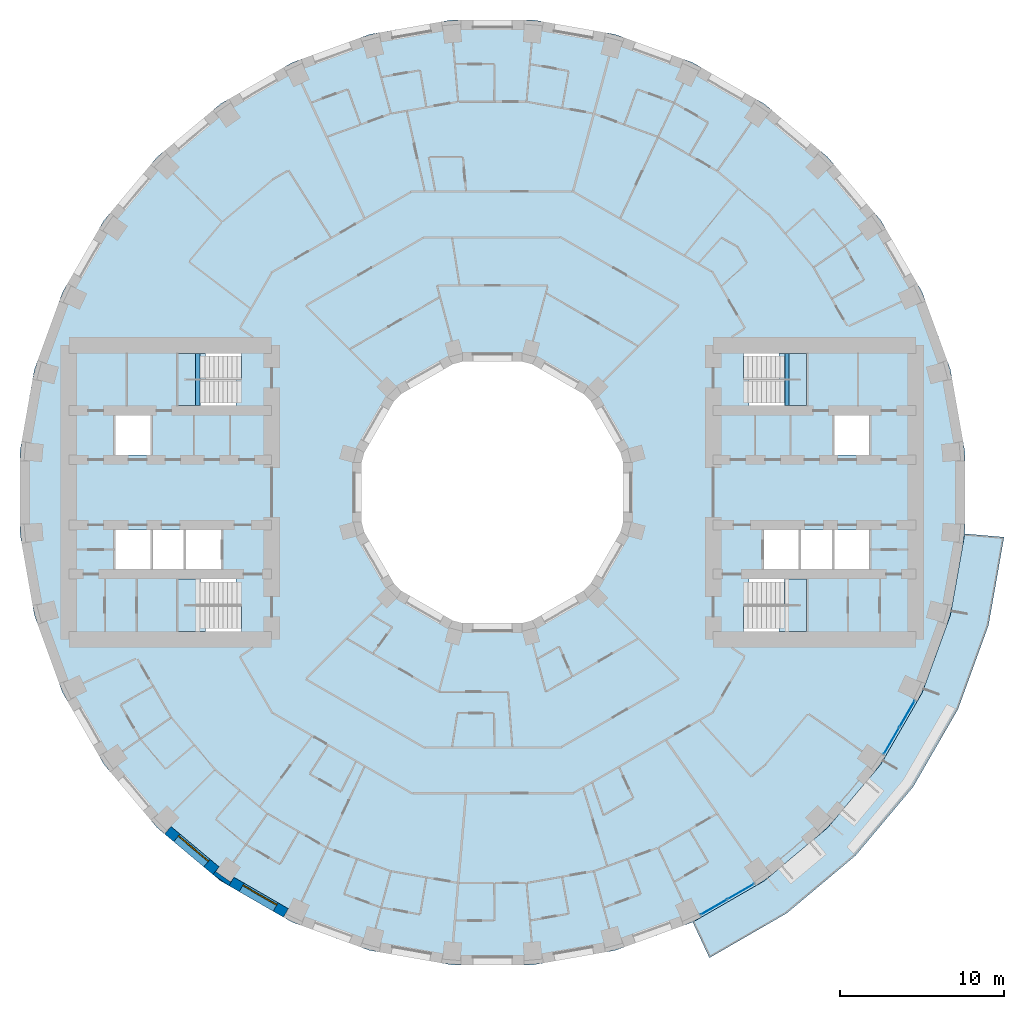
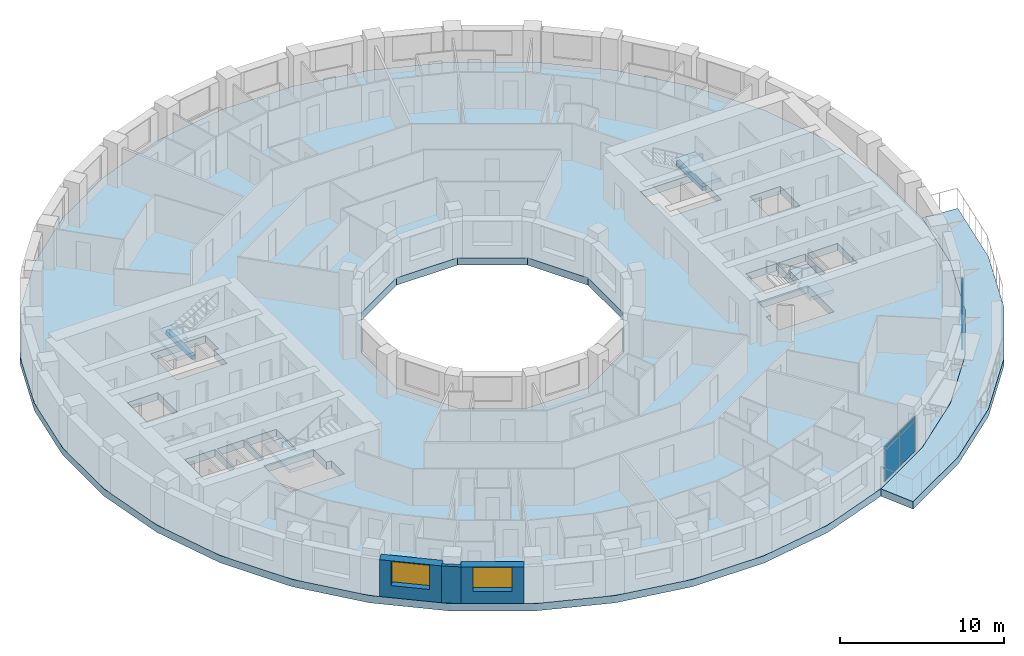
# One storey, part 3 of 15: 8 plates, 6 slabs, 3 walls, 2 beams, 2 windows, 2 openings, 6 elements without a shape of their own.
"""IFC4 building model written with IfcOpenShell, lengths in metres."""

from ifc_helpers import new_model, si_unit, direction, frame, frame_2d, origin, origin_2d, place, context, subcontext, project, spatial, polyline, rectangle, outline, extrude, material, layer, layer_set, material_profile, profile_set, type_object, element, fill, aggregate, save


model = new_model("IFC4")

# Units and contexts
model_context = context("Model", 3, precision=1e-05, world=origin(), true_north=direction((0.0, 1.0)))
body_context = subcontext(model_context, "Body", "Model", "MODEL_VIEW")
ifc_project = project(units=[si_unit("LENGTHUNIT", "METRE"), si_unit("AREAUNIT", "SQUARE_METRE"), si_unit("VOLUMEUNIT", "CUBIC_METRE"), si_unit("PLANEANGLEUNIT", "RADIAN"), si_unit("MASSUNIT", "GRAM", prefix="KILO")], contexts=[model_context])

# Site, building, storey
site_placement = place(None, origin())
site = spatial("IfcSite", under=ifc_project, at=site_placement, CompositionType="ELEMENT")
building_placement = place(site_placement, origin())
building = spatial("IfcBuilding", under=site, at=building_placement, Name="Saqina Gate Tower", CompositionType="ELEMENT")
storey_placement = place(building_placement, frame((0.0, 0.0, 36.199951171875)))
storey = spatial("IfcBuildingStorey", under=building, at=storey_placement, Name="L09", CompositionType="ELEMENT", Elevation=36.199951171875)

# Beams
ifc_material_1 = material(Name="Concrete C40/50", Category="concrete")
ifc_material_profile = material_profile(ifc_material_1, rectangle(XDim=0.25, YDim=0.300048828125, at=origin_2d()), Name="STAIR LANDING BEAM")
ifc_profile_set = profile_set([ifc_material_profile], Name="Concrete C40/50")
beam_type = type_object("IfcBeamType", Name="STAIR LANDING BEAM", PredefinedType="BEAM", material=ifc_profile_set)
for number, where, z_axis, x_axis, name in (
    (1, (18.02001953125, 5.300048828125, 1.25), (0.0, 1.0, 0.0), (-1.0, 0.0, 0.0), "EXIT STAIR 1 LANDING BEAM"),
    (2, (-18.02001953125, 5.300048828125, 1.25), (0.0, 1.0, 0.0), (-1.0, 0.0, 0.0), "EXIT STAIR 3 LANDING BEAM"),
):
    element("IfcBeam", number, at=place(storey_placement, frame(where, z_axis=z_axis, x_axis=x_axis)), inside=storey, type_object=beam_type, Name=name, PredefinedType="BEAM", context=body_context, shape_type="SweptSolid", body=[
        extrude(rectangle(XDim=0.25, YDim=0.300048828125, at=origin_2d()), origin(), (0.0, 0.0, 1.0), 3.199951171875),
    ])

# Curtain wall, plates
ifc_material_2 = material(Name="Aluminium glazing", Category="aluminium")
ifc_layer_1 = layer(ifc_material_2, 0.159912109375)
ifc_layer_set_1 = layer_set([ifc_layer_1], Name="CWT-4")
curtain_wall_type = type_object("IfcCurtainWallType", Name="CWT-4", PredefinedType="NOTDEFINED", material=ifc_layer_set_1)
curtain_wall_1_placement = place(storey_placement, origin())
curtain_wall_1 = element("IfcCurtainWall", 3, at=curtain_wall_1_placement, inside=storey, type_object=curtain_wall_type, Name="Terrace lounge glazing facet 30", PredefinedType="NOTDEFINED")
ifc_material_3 = material(Name="Glass", Category="glass")
ifc_layer_2 = layer(ifc_material_3, 0.028076171875)
ifc_layer_set_2 = layer_set([ifc_layer_2], Name="CWT-4P")
plate_type = type_object("IfcPlateType", Name="CWT-4P", PredefinedType="CURTAIN_PANEL", material=ifc_layer_set_2)
plate_1_placement = place(storey_placement, frame((13.550048828125, -25.362548828125, 0.06005859375), z_axis=(0.0, 0.0, 1.0), x_axis=(0.866027971624, 0.499995552346, 0.0)))
plate_1 = element("IfcPlate", 4, at=plate_1_placement, type_object=plate_type, Name="CW4-30 panel 1.1", PredefinedType="CURTAIN_PANEL", context=body_context, shape_type="SweptSolid", body=[
    extrude(rectangle(XDim=1.8330078125, YDim=0.028076171875, at=origin_2d()), origin(), (0.0, 0.0, 1.0), 2.31005859375),
])
plate_2_placement = place(storey_placement, frame((13.550048828125, -25.362548828125, 2.43017578125), z_axis=(0.0, 0.0, 1.0), x_axis=(0.866027971624, 0.499995552346, 0.0)))
plate_2 = element("IfcPlate", 5, at=plate_2_placement, type_object=plate_type, Name="CW4-30 panel 1.2", PredefinedType="CURTAIN_PANEL", context=body_context, shape_type="SweptSolid", body=[
    extrude(rectangle(XDim=1.8330078125, YDim=0.028076171875, at=origin_2d()), origin(), (0.0, 0.0, 1.0), 0.260009765625),
])
plate_3_placement = place(storey_placement, frame((15.189453125, -24.416015625, 0.06005859375), z_axis=(0.0, 0.0, 1.0), x_axis=(0.866027971624, 0.499995552346, 0.0)))
plate_3 = element("IfcPlate", 6, at=plate_3_placement, type_object=plate_type, Name="CW4-30 panel 2.1", PredefinedType="CURTAIN_PANEL", context=body_context, shape_type="SweptSolid", body=[
    extrude(rectangle(XDim=1.8330078125, YDim=0.028076171875, at=origin_2d()), origin(), (0.0, 0.0, 1.0), 2.31005859375),
])
plate_4_placement = place(storey_placement, frame((15.189453125, -24.416015625, 2.43017578125), z_axis=(0.0, 0.0, 1.0), x_axis=(0.866027971624, 0.499995552346, 0.0)))
plate_4 = element("IfcPlate", 7, at=plate_4_placement, type_object=plate_type, Name="CW4-30 panel 2.2", PredefinedType="CURTAIN_PANEL", context=body_context, shape_type="SweptSolid", body=[
    extrude(rectangle(XDim=1.8330078125, YDim=0.028076171875, at=origin_2d()), origin(), (0.0, 0.0, 1.0), 0.260009765625),
])
aggregate(curtain_wall_1, [plate_1, plate_2, plate_3, plate_4])

curtain_wall_2_placement = place(storey_placement, origin())
curtain_wall_2 = element("IfcCurtainWall", 8, at=curtain_wall_2_placement, inside=storey, type_object=curtain_wall_type, Name="Terrace lounge glazing facet 33", PredefinedType="NOTDEFINED")
plate_5_placement = place(storey_placement, frame((24.416015625, -15.189453125, 0.06005859375), z_axis=(0.0, 0.0, 1.0), x_axis=(0.499995552346, 0.866027971624, 0.0)))
plate_5 = element("IfcPlate", 9, at=plate_5_placement, type_object=plate_type, Name="CW4-33 panel 1.1", PredefinedType="CURTAIN_PANEL", context=body_context, shape_type="SweptSolid", body=[
    extrude(rectangle(XDim=1.8330078125, YDim=0.028076171875, at=origin_2d()), origin(), (0.0, 0.0, 1.0), 2.31005859375),
])
plate_6_placement = place(storey_placement, frame((24.416015625, -15.189453125, 2.43017578125), z_axis=(0.0, 0.0, 1.0), x_axis=(0.499995552346, 0.866027971624, 0.0)))
plate_6 = element("IfcPlate", 10, at=plate_6_placement, type_object=plate_type, Name="CW4-33 panel 1.2", PredefinedType="CURTAIN_PANEL", context=body_context, shape_type="SweptSolid", body=[
    extrude(rectangle(XDim=1.8330078125, YDim=0.028076171875, at=origin_2d()), origin(), (0.0, 0.0, 1.0), 0.260009765625),
])
plate_7_placement = place(storey_placement, frame((25.362548828125, -13.550048828125, 0.06005859375), z_axis=(0.0, 0.0, 1.0), x_axis=(0.499995552346, 0.866027971624, 0.0)))
plate_7 = element("IfcPlate", 11, at=plate_7_placement, type_object=plate_type, Name="CW4-33 panel 2.1", PredefinedType="CURTAIN_PANEL", context=body_context, shape_type="SweptSolid", body=[
    extrude(rectangle(XDim=1.8330078125, YDim=0.028076171875, at=origin_2d()), origin(), (0.0, 0.0, 1.0), 2.31005859375),
])
plate_8_placement = place(storey_placement, frame((25.362548828125, -13.550048828125, 2.43017578125), z_axis=(0.0, 0.0, 1.0), x_axis=(0.499995552346, 0.866027971624, 0.0)))
plate_8 = element("IfcPlate", 12, at=plate_8_placement, type_object=plate_type, Name="CW4-33 panel 2.2", PredefinedType="CURTAIN_PANEL", context=body_context, shape_type="SweptSolid", body=[
    extrude(rectangle(XDim=1.8330078125, YDim=0.028076171875, at=origin_2d()), origin(), (0.0, 0.0, 1.0), 0.260009765625),
])
aggregate(curtain_wall_2, [plate_5, plate_6, plate_7, plate_8])

# Stair, slab
ifc_material_4 = material(Name="Concrete C40/50", Category="concrete")
stair_type = type_object("IfcStairType", Name="EXIT STAIR", PredefinedType="HALF_TURN_STAIR", material=ifc_material_4)
stair_1_placement = place(storey_placement, origin())
stair_1 = element("IfcStair", 13, at=stair_1_placement, inside=storey, type_object=stair_type, Name="EXIT STAIR 1", PredefinedType="HALF_TURN_STAIR")
ifc_material_5 = material(Name="Concrete C40/50", Category="concrete")
ifc_layer_3 = layer(ifc_material_5, 0.25)
ifc_layer_set_3 = layer_set([ifc_layer_3], Name="Concrete C40/50")
slab_type_1 = type_object("IfcSlabType", Name="EXIT STAIR LANDING", PredefinedType="LANDING", material=ifc_layer_set_3)
slab_1_placement = place(storey_placement, frame((0.0, 0.0, 1.400146484375)))
slab_1 = element("IfcSlab", 14, at=slab_1_placement, type_object=slab_type_1, Name="EXIT STAIR 1 LANDING 1", PredefinedType="LANDING", context=body_context, shape_type="SweptSolid", body=[
    extrude(outline(polyline([(19.219970703125, 8.5), (19.219970703125, 5.300048828125), (17.864990234375, 5.300048828125), (17.864990234375, 6.89990234375), (17.534423828125, 6.89990234375), (17.534423828125, 8.5), (17.864990234375, 8.5), (17.8701171875, 8.5), (19.219970703125, 8.5)])), origin(), (0.0, 0.0, 1.0), 0.25),
])
aggregate(stair_1, [slab_1])

stair_2_placement = place(storey_placement, origin())
stair_2 = element("IfcStair", 15, at=stair_2_placement, inside=storey, type_object=stair_type, Name="EXIT STAIR 2", PredefinedType="HALF_TURN_STAIR")
slab_2_placement = place(storey_placement, frame((0.0, 0.0, 1.400146484375)))
slab_2 = element("IfcSlab", 16, at=slab_2_placement, type_object=slab_type_1, Name="EXIT STAIR 2 LANDING 1", PredefinedType="LANDING", context=body_context, shape_type="SweptSolid", body=[
    extrude(outline(polyline([(17.534423828125, -8.5), (17.534423828125, -6.89990234375), (17.864990234375, -6.89990234375), (17.864990234375, -5.300048828125), (19.219970703125, -5.300048828125), (19.219970703125, -8.5), (17.8701171875, -8.5), (17.864990234375, -8.5), (17.534423828125, -8.5)])), origin(), (0.0, 0.0, 1.0), 0.25),
])
aggregate(stair_2, [slab_2])

stair_3_placement = place(storey_placement, origin())
stair_3 = element("IfcStair", 17, at=stair_3_placement, inside=storey, type_object=stair_type, Name="EXIT STAIR 3", PredefinedType="HALF_TURN_STAIR")
slab_3_placement = place(storey_placement, frame((0.0, 0.0, 1.400146484375)))
slab_3 = element("IfcSlab", 18, at=slab_3_placement, type_object=slab_type_1, Name="EXIT STAIR 3 LANDING 1", PredefinedType="LANDING", context=body_context, shape_type="SweptSolid", body=[
    extrude(outline(polyline([(-17.864990234375, 5.300048828125), (-19.219970703125, 5.300048828125), (-19.219970703125, 8.5), (-17.8701171875, 8.5), (-17.864990234375, 8.5), (-17.534423828125, 8.5), (-17.534423828125, 6.89990234375), (-17.864990234375, 6.89990234375), (-17.864990234375, 5.300048828125)])), origin(), (0.0, 0.0, 1.0), 0.25),
])
aggregate(stair_3, [slab_3])

stair_4_placement = place(storey_placement, origin())
stair_4 = element("IfcStair", 19, at=stair_4_placement, inside=storey, type_object=stair_type, Name="EXIT STAIR 4", PredefinedType="HALF_TURN_STAIR")
slab_4_placement = place(storey_placement, frame((0.0, 0.0, 1.400146484375)))
slab_4 = element("IfcSlab", 20, at=slab_4_placement, type_object=slab_type_1, Name="EXIT STAIR 4 LANDING 1", PredefinedType="LANDING", context=body_context, shape_type="SweptSolid", body=[
    extrude(outline(polyline([(-17.534423828125, -6.89990234375), (-17.534423828125, -8.5), (-17.864990234375, -8.5), (-17.8701171875, -8.5), (-19.219970703125, -8.5), (-19.219970703125, -5.300048828125), (-17.864990234375, -5.300048828125), (-17.864990234375, -6.89990234375), (-17.534423828125, -6.89990234375)])), origin(), (0.0, 0.0, 1.0), 0.25),
])
aggregate(stair_4, [slab_4])

# Slabs
ifc_material_6 = material(Name="Concrete C40/50", Category="concrete")
ifc_layer_4 = layer(ifc_material_6, 0.550048828125)
ifc_layer_set_4 = layer_set([ifc_layer_4], Name="Concrete C40/50")
slab_type_2 = type_object("IfcSlabType", Name="STR-POST-TENSIONED FLAT PLATE FLOOR-550", PredefinedType="FLOOR", material=ifc_layer_set_4)
slab_5_placement = place(storey_placement, frame((0.0, 0.0, -0.550048828125)))
element("IfcSlab", 21, at=slab_5_placement, inside=storey, type_object=slab_type_2, Name="L09-SLB01", PredefinedType="FLOOR", context=body_context, shape_type="SweptSolid", body=[
    extrude(outline(polyline([(28.011962890625, -7.505859375), (28.8896484375, -2.527587890625), (28.8896484375, 2.527587890625), (28.011962890625, 7.505859375), (26.282958984375, 12.255859375), (23.75537109375, 16.6337890625), (20.506103515625, 20.506103515625), (16.6337890625, 23.75537109375), (12.255859375, 26.282958984375), (7.505859375, 28.011962890625), (2.527587890625, 28.8896484375), (-2.527587890625, 28.8896484375), (-7.505859375, 28.011962890625), (-12.255859375, 26.282958984375), (-16.6337890625, 23.75537109375), (-20.506103515625, 20.506103515625), (-23.75537109375, 16.6337890625), (-26.282958984375, 12.255859375), (-28.011962890625, 7.505859375), (-28.8896484375, 2.527587890625), (-28.8896484375, -2.527587890625), (-28.011962890625, -7.505859375), (-26.282958984375, -12.255859375), (-23.75537109375, -16.6337890625), (-20.506103515625, -20.506103515625), (-16.6337890625, -23.75537109375), (-12.255859375, -26.282958984375), (-7.505859375, -28.011962890625), (-2.527587890625, -28.8896484375), (2.527587890625, -28.8896484375), (7.505859375, -28.011962890625), (12.255859375, -26.282958984375), (16.6337890625, -23.75537109375), (20.506103515625, -20.506103515625), (23.75537109375, -16.6337890625), (26.282958984375, -12.255859375), (28.011962890625, -7.505859375)]), holes=[polyline([(2.1435546875, 8.0), (5.8564453125, 5.8564453125), (8.0, 2.1435546875), (8.0, -2.1435546875), (5.8564453125, -5.8564453125), (2.1435546875, -8.0), (-2.1435546875, -8.0), (-5.8564453125, -5.8564453125), (-8.0, -2.1435546875), (-8.0, 2.1435546875), (-5.8564453125, 5.8564453125), (-2.1435546875, 8.0), (2.1435546875, 8.0)]), polyline([(-19.219970703125, -8.5), (-19.219970703125, -6.89990234375), (-19.219970703125, -5.300048828125), (-15.685546875, -5.300048828125), (-15.685546875, -6.89990234375), (-15.35498046875, -6.89990234375), (-15.35498046875, -8.5), (-19.219970703125, -8.5)]), polyline([(-20.89990234375, -2.300048828125), (-20.89990234375, -4.699951171875), (-23.06005859375, -4.699951171875), (-23.06005859375, -2.300048828125), (-20.89990234375, -2.300048828125)]), polyline([(-18.8701171875, -2.300048828125), (-18.8701171875, -4.699951171875), (-20.780029296875, -4.699951171875), (-20.780029296875, -2.300048828125), (-18.8701171875, -2.300048828125)]), polyline([(-16.590087890625, -2.300048828125), (-16.590087890625, -4.699951171875), (-18.75, -4.699951171875), (-18.75, -2.300048828125), (-16.590087890625, -2.300048828125)]), polyline([(-20.89990234375, 4.699951171875), (-20.89990234375, 2.300048828125), (-23.06005859375, 2.300048828125), (-23.06005859375, 4.699951171875), (-20.89990234375, 4.699951171875)]), polyline([(-19.219970703125, 6.89990234375), (-19.219970703125, 8.5), (-15.35498046875, 8.5), (-15.35498046875, 6.89990234375), (-15.685546875, 6.89990234375), (-15.685546875, 5.300048828125), (-19.219970703125, 5.300048828125), (-19.219970703125, 6.89990234375)]), polyline([(15.35498046875, -6.89990234375), (15.685546875, -6.89990234375), (15.685546875, -5.300048828125), (19.219970703125, -5.300048828125), (19.219970703125, -6.89990234375), (19.219970703125, -8.5), (15.35498046875, -8.5), (15.35498046875, -6.89990234375)]), polyline([(18.75, -2.300048828125), (18.75, -4.699951171875), (16.590087890625, -4.699951171875), (16.590087890625, -2.300048828125), (18.75, -2.300048828125)]), polyline([(20.780029296875, -2.300048828125), (20.780029296875, -4.699951171875), (18.8701171875, -4.699951171875), (18.8701171875, -2.300048828125), (20.780029296875, -2.300048828125)]), polyline([(23.06005859375, -2.300048828125), (23.06005859375, -4.699951171875), (20.89990234375, -4.699951171875), (20.89990234375, -2.300048828125), (23.06005859375, -2.300048828125)]), polyline([(23.06005859375, 4.699951171875), (23.06005859375, 2.300048828125), (20.89990234375, 2.300048828125), (20.89990234375, 4.699951171875), (23.06005859375, 4.699951171875)]), polyline([(15.685546875, 6.89990234375), (15.35498046875, 6.89990234375), (15.35498046875, 8.5), (19.219970703125, 8.5), (19.219970703125, 6.89990234375), (19.219970703125, 5.300048828125), (15.685546875, 5.300048828125), (15.685546875, 6.89990234375)])]), origin(), (0.0, 0.0, 1.0), 0.550048828125),
])
ifc_material_7 = material(Name="Concrete C40/50", Category="concrete")
ifc_layer_5 = layer(ifc_material_7, 0.550048828125)
ifc_layer_set_5 = layer_set([ifc_layer_5], Name="Concrete C40/50")
slab_type_3 = type_object("IfcSlabType", Name="STR-POST-TENSIONED FLAT PLATE TERRACE-550", PredefinedType="FLOOR", material=ifc_layer_set_5)
slab_6_placement = place(storey_placement, frame((0.0, 0.0, -0.550048828125)))
element("IfcSlab", 22, at=slab_6_placement, inside=storey, type_object=slab_type_3, Name="L09-TRS01", PredefinedType="FLOOR", context=body_context, shape_type="SweptSolid", body=[
    extrude(outline(polyline([(12.255859375, -26.282958984375), (16.6337890625, -23.75537109375), (20.506103515625, -20.506103515625), (23.75537109375, -16.6337890625), (26.282958984375, -12.255859375), (28.011962890625, -7.505859375), (28.8896484375, -2.527587890625), (31.28955078125, -2.737548828125), (30.3388671875, -8.12939453125), (28.46630859375, -13.274169921875), (25.72900390625, -18.015625), (22.209716796875, -22.209716796875), (18.015625, -25.72900390625), (13.274169921875, -28.46630859375), (12.255859375, -26.282958984375)])), origin(), (0.0, 0.0, 1.0), 0.550048828125),
])

# Wall
ifc_material_8 = material(Name="Brick masonry (red)", Category="masonry")
wall_type_1 = type_object("IfcWallType", Name="BRICK PIER COPING RED", PredefinedType="SOLIDWALL", material=ifc_material_8)
wall_1_placement = place(storey_placement, origin())
element("IfcWall", 23, at=wall_1_placement, inside=storey, type_object=wall_type_1, Name="Pier cap L09 column 24", PredefinedType="SOLIDWALL", context=body_context, shape_type="SweptSolid", body=[
    extrude(outline(polyline([(-17.096923828125, -23.36669921875), (-16.110107421875, -24.0576171875), (-15.81005859375, -23.5380859375), (-16.010986328125, -23.8251953125), (-16.912109375, -23.194091796875), (-16.711181640625, -22.9072265625), (-17.096923828125, -23.36669921875)])), origin(), (0.0, 0.0, 1.0), 2.75),
])

# Wall, opening, window
ifc_material_9 = material(Name="Brick masonry (red)", Category="masonry")
ifc_layer_6 = layer(ifc_material_9, 0.60009765625)
ifc_layer_set_6 = layer_set([ifc_layer_6], Name="FW-BRICK-RED")
wall_type_2 = type_object("IfcWallType", Name="FW-BRICK-RED", PredefinedType="SOLIDWALL", material=ifc_layer_set_6)
wall_2_placement = place(storey_placement, frame((-19.85009765625, -20.664794921875, 0.0), z_axis=(0.0, 0.0, 1.0), x_axis=(0.766026164483, -0.642809392687, 0.0)))
wall_2 = element("IfcWall", 24, at=wall_2_placement, inside=storey, type_object=wall_type_2, Name="Facade wall L09 facet 23", PredefinedType="SOLIDWALL", context=body_context, shape_type="SweptSolid", body=[
    extrude(rectangle(XDim=3.845947265625, YDim=0.60009765625, at=frame_2d((1.9228515625, 0.0))), origin(), (0.0, 0.0, 1.0), 2.75),
])
opening_1_placement = place(wall_2_placement, frame((0.722900390625, 0.0, 0.89990234375)))
opening_1 = element("IfcOpeningElement", 25, at=opening_1_placement, cuts=wall_2, Name="Opening G02-W16", PredefinedType="OPENING", context=body_context, shape_type="SweptSolid", body=[
    extrude(rectangle(XDim=2.39990234375, YDim=1.800048828125, at=frame_2d((1.199951171875, 0.89990234375))), frame((0.0, 0.31201171875, 0.0), z_axis=(0.0, -1.0, 0.0), x_axis=(1.0, 0.0, 0.0)), (0.0, 0.0, 1.0), 0.6240234375),
])
ifc_material_10 = material(Name="Aluminium glazing", Category="aluminium")
window_type = type_object("IfcWindowType", Name="WN-A", PartitioningType="SINGLE_PANEL", PredefinedType="WINDOW", material=ifc_material_10)
window_1_placement = place(opening_1_placement, origin())
window_1 = element("IfcWindow", 26, at=window_1_placement, inside=storey, type_object=window_type, Name="Window L09 facet 23", OverallHeight=1.800048828125, OverallWidth=2.39990234375, PartitioningType="SINGLE_PANEL", PredefinedType="WINDOW", context=body_context, shape_type="SweptSolid", body=[
    extrude(rectangle(XDim=2.39990234375, YDim=1.800048828125, at=frame_2d((1.199951171875, 0.89990234375))), frame((0.0, 0.179931640625, 0.0), z_axis=(0.0, -1.0, 0.0), x_axis=(1.0, 0.0, 0.0)), (0.0, 0.0, 1.0), 0.06005859375),
])
fill(opening_1, window_1)

wall_3_placement = place(storey_placement, frame((-15.960205078125, -23.7978515625, 0.0), z_axis=(0.0, 0.0, 1.0), x_axis=(0.86603124159, -0.499989888488, 0.0)))
wall_3 = element("IfcWall", 27, at=wall_3_placement, inside=storey, type_object=wall_type_2, Name="Facade wall L09 facet 24", PredefinedType="SOLIDWALL", context=body_context, shape_type="SweptSolid", body=[
    extrude(rectangle(XDim=3.845703125, YDim=0.60009765625, at=frame_2d((1.9228515625, 0.0))), origin(), (0.0, 0.0, 1.0), 2.75),
])
opening_2_placement = place(wall_3_placement, frame((0.722900390625, 0.0, 0.89990234375)))
opening_2 = element("IfcOpeningElement", 28, at=opening_2_placement, cuts=wall_3, Name="Opening G02-W17", PredefinedType="OPENING", context=body_context, shape_type="SweptSolid", body=[
    extrude(rectangle(XDim=2.39990234375, YDim=1.800048828125, at=frame_2d((1.199951171875, 0.89990234375))), frame((0.0, 0.31201171875, 0.0), z_axis=(0.0, -1.0, 0.0), x_axis=(1.0, 0.0, 0.0)), (0.0, 0.0, 1.0), 0.6240234375),
])
window_2_placement = place(opening_2_placement, origin())
window_2 = element("IfcWindow", 29, at=window_2_placement, inside=storey, type_object=window_type, Name="Window L09 facet 24", OverallHeight=1.800048828125, OverallWidth=2.39990234375, PartitioningType="SINGLE_PANEL", PredefinedType="WINDOW", context=body_context, shape_type="SweptSolid", body=[
    extrude(rectangle(XDim=2.39990234375, YDim=1.800048828125, at=frame_2d((1.199951171875, 0.89990234375))), frame((0.0, 0.179931640625, 0.0), z_axis=(0.0, -1.0, 0.0), x_axis=(1.0, 0.0, 0.0)), (0.0, 0.0, 1.0), 0.06005859375),
])
fill(opening_2, window_2)

save(model, "model.ifc")
